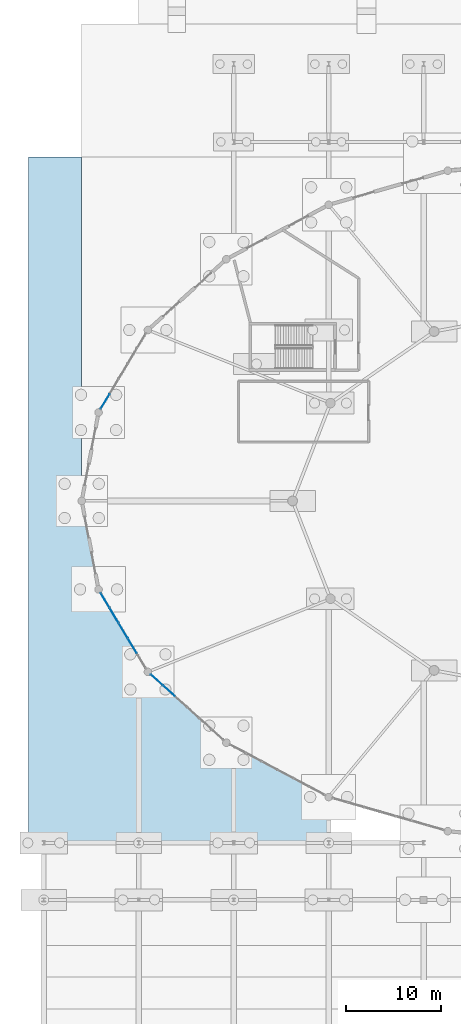
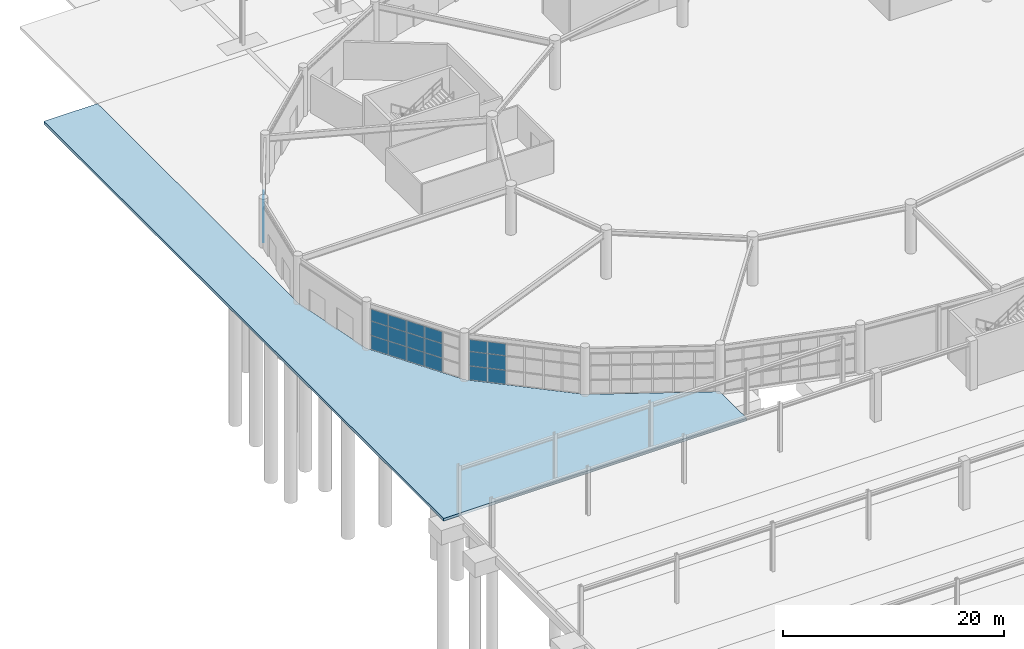
# One storey, part 67 of 99: 21 plates, 1 slab, 3 elements without a shape of their own.
"""IFC4 building model written with IfcOpenShell, lengths in metres."""

from ifc_helpers import new_model, si_unit, direction, frame, origin, origin_2d, place, context, subcontext, project, spatial, polyline, rectangle, outline, extrude, material, layer, layer_set, type_object, element, aggregate, save


model = new_model("IFC4")

# Units and contexts
model_context = context("Model", 3, precision=1e-05, world=origin(), true_north=direction((0.0, 1.0)))
body_context = subcontext(model_context, "Body", "Model", "MODEL_VIEW")
ifc_project = project(units=[si_unit("LENGTHUNIT", "METRE"), si_unit("AREAUNIT", "SQUARE_METRE"), si_unit("VOLUMEUNIT", "CUBIC_METRE"), si_unit("PLANEANGLEUNIT", "RADIAN"), si_unit("MASSUNIT", "GRAM", prefix="KILO")], contexts=[model_context])

# Site, building, storey
site_placement = place(None, origin())
site = spatial("IfcSite", under=ifc_project, at=site_placement, CompositionType="ELEMENT")
building_placement = place(site_placement, origin())
building = spatial("IfcBuilding", under=site, at=building_placement, Name="Kivolera Central Railway Station", CompositionType="ELEMENT")
storey_placement = place(building_placement, origin())
storey = spatial("IfcBuildingStorey", under=building, at=storey_placement, Name="L00", CompositionType="ELEMENT", Elevation=0.0)

# Curtain wall, plates
ifc_material_1 = material(Name="Anodised aluminium", Category="aluminium")
ifc_layer_1 = layer(ifc_material_1, 0.179931640625, Name="Anodised aluminium")
ifc_layer_set_1 = layer_set([ifc_layer_1], Name="Anodised aluminium")
curtain_wall_type_1 = type_object("IfcCurtainWallType", Name="CW-SYS-01", PredefinedType="NOTDEFINED", material=ifc_layer_set_1)
curtain_wall_1_placement = place(storey_placement, origin())
curtain_wall_1 = element("IfcCurtainWall", 1, at=curtain_wall_1_placement, inside=storey, type_object=curtain_wall_type_1, Name="L00 Curtain Wall CW-L00-OVL-10", PredefinedType="NOTDEFINED")
ifc_material_2 = material(Name="Double low-E laminated glass", Category="glass")
ifc_layer_2 = layer(ifc_material_2, 0.02587890625, Name="Double low-E laminated glass")
ifc_layer_set_2 = layer_set([ifc_layer_2], Name="Double low-E laminated glass")
plate_type_1 = type_object("IfcPlateType", Name="CWP-GLZ-1", PredefinedType="CURTAIN_PANEL", material=ifc_layer_set_2)
plate_1_placement = place(storey_placement, frame((14.464599609375, 100.474609375, 0.05810546875), z_axis=(0.0, 0.0, 1.0), x_axis=(0.513453894052, 0.858117182372, 0.0)))
plate_1 = element("IfcPlate", 2, at=plate_1_placement, type_object=plate_type_1, Name="CW-01 panel 1.1", PredefinedType="CURTAIN_PANEL", context=body_context, shape_type="SweptSolid", body=[
    extrude(rectangle(XDim=1.782958984375, YDim=0.02587890625, at=origin_2d()), origin(), (0.0, 0.0, 1.0), 1.511474609375),
])
plate_2_placement = place(storey_placement, frame((14.464599609375, 100.474609375, 1.615478515625), z_axis=(0.0, 0.0, 1.0), x_axis=(0.513453894052, 0.858117182372, 0.0)))
plate_2 = element("IfcPlate", 3, at=plate_2_placement, type_object=plate_type_1, Name="CW-01 panel 1.2", PredefinedType="CURTAIN_PANEL", context=body_context, shape_type="SweptSolid", body=[
    extrude(rectangle(XDim=1.782958984375, YDim=0.02587890625, at=origin_2d()), origin(), (0.0, 0.0, 1.0), 1.54638671875),
])
plate_3_placement = place(storey_placement, frame((14.464599609375, 100.474609375, 3.2080078125), z_axis=(0.0, 0.0, 1.0), x_axis=(0.513453894052, 0.858117182372, 0.0)))
plate_3 = element("IfcPlate", 4, at=plate_3_placement, type_object=plate_type_1, Name="CW-01 panel 1.3", PredefinedType="CURTAIN_PANEL", context=body_context, shape_type="SweptSolid", body=[
    extrude(rectangle(XDim=1.782958984375, YDim=0.02587890625, at=origin_2d()), origin(), (0.0, 0.0, 1.0), 1.283935546875),
])
aggregate(curtain_wall_1, [plate_1, plate_2, plate_3])

curtain_wall_2_placement = place(storey_placement, origin())
curtain_wall_2 = element("IfcCurtainWall", 5, at=curtain_wall_2_placement, inside=storey, type_object=curtain_wall_type_1, Name="L00 Curtain Wall CW-L00-OVL-13", PredefinedType="NOTDEFINED")
ifc_layer_3 = layer(ifc_material_2, 0.0380859375, Name="Double low-E laminated glass")
ifc_layer_set_3 = layer_set([ifc_layer_3], Name="Double low-E laminated glass")
plate_type_2 = type_object("IfcPlateType", Name="CWP-GLZ-4", PredefinedType="CURTAIN_PANEL", material=ifc_layer_set_3)
plate_4_placement = place(storey_placement, frame((17.326416015625, 74.7421875, 0.05810546875), z_axis=(0.0, 0.0, 1.0), x_axis=(-0.513453894052, 0.858117182372, 0.0)))
plate_4 = element("IfcPlate", 6, at=plate_4_placement, type_object=plate_type_2, Name="CW-01 panel 2.1", PredefinedType="CURTAIN_PANEL", context=body_context, shape_type="SweptSolid", body=[
    extrude(rectangle(XDim=1.81787109375, YDim=0.0380859375, at=origin_2d()), origin(), (0.0, 0.0, 1.0), 1.511474609375),
])
plate_5_placement = place(storey_placement, frame((17.326416015625, 74.7421875, 1.615478515625), z_axis=(0.0, 0.0, 1.0), x_axis=(-0.513453894052, 0.858117182372, 0.0)))
plate_5 = element("IfcPlate", 7, at=plate_5_placement, type_object=plate_type_2, Name="CW-01 panel 2.2", PredefinedType="CURTAIN_PANEL", context=body_context, shape_type="SweptSolid", body=[
    extrude(rectangle(XDim=1.81787109375, YDim=0.0380859375, at=origin_2d()), origin(), (0.0, 0.0, 1.0), 1.54638671875),
])
plate_6_placement = place(storey_placement, frame((17.326416015625, 74.7421875, 3.2080078125), z_axis=(0.0, 0.0, 1.0), x_axis=(-0.513453894052, 0.858117182372, 0.0)))
plate_6 = element("IfcPlate", 8, at=plate_6_placement, type_object=plate_type_2, Name="CW-01 panel 2.3", PredefinedType="CURTAIN_PANEL", context=body_context, shape_type="SweptSolid", body=[
    extrude(rectangle(XDim=1.81787109375, YDim=0.0380859375, at=origin_2d()), origin(), (0.0, 0.0, 1.0), 1.283935546875),
])
plate_7_placement = place(storey_placement, frame((16.369384765625, 76.341552734375, 0.05810546875), z_axis=(0.0, 0.0, 1.0), x_axis=(-0.513453894052, 0.858117182372, 0.0)))
plate_7 = element("IfcPlate", 9, at=plate_7_placement, type_object=plate_type_2, Name="CW-01 panel 3.1", PredefinedType="CURTAIN_PANEL", context=body_context, shape_type="SweptSolid", body=[
    extrude(rectangle(XDim=1.81787109375, YDim=0.0380859375, at=origin_2d()), origin(), (0.0, 0.0, 1.0), 1.511474609375),
])
plate_8_placement = place(storey_placement, frame((16.369384765625, 76.341552734375, 1.615478515625), z_axis=(0.0, 0.0, 1.0), x_axis=(-0.513453894052, 0.858117182372, 0.0)))
plate_8 = element("IfcPlate", 10, at=plate_8_placement, type_object=plate_type_2, Name="CW-01 panel 3.2", PredefinedType="CURTAIN_PANEL", context=body_context, shape_type="SweptSolid", body=[
    extrude(rectangle(XDim=1.81787109375, YDim=0.0380859375, at=origin_2d()), origin(), (0.0, 0.0, 1.0), 1.54638671875),
])
plate_9_placement = place(storey_placement, frame((16.369384765625, 76.341552734375, 3.2080078125), z_axis=(0.0, 0.0, 1.0), x_axis=(-0.513453894052, 0.858117182372, 0.0)))
plate_9 = element("IfcPlate", 11, at=plate_9_placement, type_object=plate_type_2, Name="CW-01 panel 3.3", PredefinedType="CURTAIN_PANEL", context=body_context, shape_type="SweptSolid", body=[
    extrude(rectangle(XDim=1.81787109375, YDim=0.0380859375, at=origin_2d()), origin(), (0.0, 0.0, 1.0), 1.283935546875),
])
plate_10_placement = place(storey_placement, frame((15.41259765625, 77.94091796875, 0.05810546875), z_axis=(0.0, 0.0, 1.0), x_axis=(-0.513453894052, 0.858117182372, 0.0)))
plate_10 = element("IfcPlate", 12, at=plate_10_placement, type_object=plate_type_2, Name="CW-01 panel 4.1", PredefinedType="CURTAIN_PANEL", context=body_context, shape_type="SweptSolid", body=[
    extrude(rectangle(XDim=1.81787109375, YDim=0.0380859375, at=origin_2d()), origin(), (0.0, 0.0, 1.0), 1.511474609375),
])
plate_11_placement = place(storey_placement, frame((15.41259765625, 77.94091796875, 1.615478515625), z_axis=(0.0, 0.0, 1.0), x_axis=(-0.513453894052, 0.858117182372, 0.0)))
plate_11 = element("IfcPlate", 13, at=plate_11_placement, type_object=plate_type_2, Name="CW-01 panel 4.2", PredefinedType="CURTAIN_PANEL", context=body_context, shape_type="SweptSolid", body=[
    extrude(rectangle(XDim=1.81787109375, YDim=0.0380859375, at=origin_2d()), origin(), (0.0, 0.0, 1.0), 1.54638671875),
])
plate_12_placement = place(storey_placement, frame((15.41259765625, 77.94091796875, 3.2080078125), z_axis=(0.0, 0.0, 1.0), x_axis=(-0.513453894052, 0.858117182372, 0.0)))
plate_12 = element("IfcPlate", 14, at=plate_12_placement, type_object=plate_type_2, Name="CW-01 panel 4.3", PredefinedType="CURTAIN_PANEL", context=body_context, shape_type="SweptSolid", body=[
    extrude(rectangle(XDim=1.81787109375, YDim=0.0380859375, at=origin_2d()), origin(), (0.0, 0.0, 1.0), 1.283935546875),
])
plate_13_placement = place(storey_placement, frame((14.464599609375, 79.525390625, 0.05810546875), z_axis=(0.0, 0.0, 1.0), x_axis=(-0.513453894052, 0.858117182372, 0.0)))
plate_13 = element("IfcPlate", 15, at=plate_13_placement, type_object=plate_type_2, Name="CW-01 panel 5.1", PredefinedType="CURTAIN_PANEL", context=body_context, shape_type="SweptSolid", body=[
    extrude(rectangle(XDim=1.782958984375, YDim=0.0380859375, at=origin_2d()), origin(), (0.0, 0.0, 1.0), 1.511474609375),
])
plate_14_placement = place(storey_placement, frame((14.464599609375, 79.525390625, 1.615478515625), z_axis=(0.0, 0.0, 1.0), x_axis=(-0.513453894052, 0.858117182372, 0.0)))
plate_14 = element("IfcPlate", 16, at=plate_14_placement, type_object=plate_type_2, Name="CW-01 panel 5.2", PredefinedType="CURTAIN_PANEL", context=body_context, shape_type="SweptSolid", body=[
    extrude(rectangle(XDim=1.782958984375, YDim=0.0380859375, at=origin_2d()), origin(), (0.0, 0.0, 1.0), 1.54638671875),
])
plate_15_placement = place(storey_placement, frame((14.464599609375, 79.525390625, 3.2080078125), z_axis=(0.0, 0.0, 1.0), x_axis=(-0.513453894052, 0.858117182372, 0.0)))
plate_15 = element("IfcPlate", 17, at=plate_15_placement, type_object=plate_type_2, Name="CW-01 panel 5.3", PredefinedType="CURTAIN_PANEL", context=body_context, shape_type="SweptSolid", body=[
    extrude(rectangle(XDim=1.782958984375, YDim=0.0380859375, at=origin_2d()), origin(), (0.0, 0.0, 1.0), 1.283935546875),
])
aggregate(curtain_wall_2, [plate_4, plate_5, plate_6, plate_7, plate_8, plate_9, plate_10, plate_11, plate_12, plate_13, plate_14, plate_15])

ifc_layer_4 = layer(ifc_material_1, 0.179931640625, Name="Anodised aluminium")
ifc_layer_set_4 = layer_set([ifc_layer_4], Name="Anodised aluminium")
curtain_wall_type_2 = type_object("IfcCurtainWallType", Name="CW-SYS-04", PredefinedType="NOTDEFINED", material=ifc_layer_set_4)
curtain_wall_3_placement = place(storey_placement, origin())
curtain_wall_3 = element("IfcCurtainWall", 18, at=curtain_wall_3_placement, inside=storey, type_object=curtain_wall_type_2, Name="L00 Curtain Wall CW-L00-OVL-14", PredefinedType="NOTDEFINED")
ifc_layer_5 = layer(ifc_material_2, 0.0419921875, Name="Double low-E laminated glass")
ifc_layer_set_5 = layer_set([ifc_layer_5], Name="Double low-E laminated glass")
plate_type_3 = type_object("IfcPlateType", Name="CWP-GLZ-5", PredefinedType="CURTAIN_PANEL", material=ifc_layer_set_5)
plate_16_placement = place(storey_placement, frame((21.18115234375, 70.001953125, 0.05810546875), z_axis=(0.0, 0.0, 1.0), x_axis=(-0.742431873669, 0.669921572246, 0.0)))
plate_16 = element("IfcPlate", 19, at=plate_16_placement, type_object=plate_type_3, Name="CW-04 panel 5.1", PredefinedType="CURTAIN_PANEL", context=body_context, shape_type="SweptSolid", body=[
    extrude(rectangle(XDim=1.675537109375, YDim=0.0419921875, at=origin_2d()), origin(), (0.0, 0.0, 1.0), 1.511474609375),
])
plate_17_placement = place(storey_placement, frame((21.18115234375, 70.001953125, 1.615478515625), z_axis=(0.0, 0.0, 1.0), x_axis=(-0.742431873669, 0.669921572246, 0.0)))
plate_17 = element("IfcPlate", 20, at=plate_17_placement, type_object=plate_type_3, Name="CW-04 panel 5.2", PredefinedType="CURTAIN_PANEL", context=body_context, shape_type="SweptSolid", body=[
    extrude(rectangle(XDim=1.675537109375, YDim=0.0419921875, at=origin_2d()), origin(), (0.0, 0.0, 1.0), 1.54638671875),
])
plate_18_placement = place(storey_placement, frame((21.18115234375, 70.001953125, 3.2080078125), z_axis=(0.0, 0.0, 1.0), x_axis=(-0.742431873669, 0.669921572246, 0.0)))
plate_18 = element("IfcPlate", 21, at=plate_18_placement, type_object=plate_type_3, Name="CW-04 panel 5.3", PredefinedType="CURTAIN_PANEL", context=body_context, shape_type="SweptSolid", body=[
    extrude(rectangle(XDim=1.675537109375, YDim=0.0419921875, at=origin_2d()), origin(), (0.0, 0.0, 1.0), 1.283935546875),
])
plate_19_placement = place(storey_placement, frame((19.916015625, 71.1435546875, 0.05810546875), z_axis=(0.0, 0.0, 1.0), x_axis=(-0.742431873669, 0.669921572246, 0.0)))
plate_19 = element("IfcPlate", 22, at=plate_19_placement, type_object=plate_type_3, Name="CW-04 panel 6.1", PredefinedType="CURTAIN_PANEL", context=body_context, shape_type="SweptSolid", body=[
    extrude(rectangle(XDim=1.640625, YDim=0.0419921875, at=origin_2d()), origin(), (0.0, 0.0, 1.0), 1.511474609375),
])
plate_20_placement = place(storey_placement, frame((19.916015625, 71.1435546875, 1.615478515625), z_axis=(0.0, 0.0, 1.0), x_axis=(-0.742431873669, 0.669921572246, 0.0)))
plate_20 = element("IfcPlate", 23, at=plate_20_placement, type_object=plate_type_3, Name="CW-04 panel 6.2", PredefinedType="CURTAIN_PANEL", context=body_context, shape_type="SweptSolid", body=[
    extrude(rectangle(XDim=1.640625, YDim=0.0419921875, at=origin_2d()), origin(), (0.0, 0.0, 1.0), 1.54638671875),
])
plate_21_placement = place(storey_placement, frame((19.916015625, 71.1435546875, 3.2080078125), z_axis=(0.0, 0.0, 1.0), x_axis=(-0.742431873669, 0.669921572246, 0.0)))
plate_21 = element("IfcPlate", 24, at=plate_21_placement, type_object=plate_type_3, Name="CW-04 panel 6.3", PredefinedType="CURTAIN_PANEL", context=body_context, shape_type="SweptSolid", body=[
    extrude(rectangle(XDim=1.640625, YDim=0.0419921875, at=origin_2d()), origin(), (0.0, 0.0, 1.0), 1.283935546875),
])
aggregate(curtain_wall_3, [plate_16, plate_17, plate_18, plate_19, plate_20, plate_21])

# Slab
ifc_material_3 = material(Name="Concrete C35/45", Category="concrete")
ifc_layer_6 = layer(ifc_material_3, 0.300048828125, Name="Concrete C35/45")
ifc_layer_set_6 = layer_set([ifc_layer_6], Name="Concrete C35/45")
slab_type = type_object("IfcSlabType", Name="SLB-EXT-300", PredefinedType="BASESLAB", material=ifc_layer_set_6)
slab_placement = place(storey_placement, frame((0.0, 0.0, -0.300048828125)))
element("IfcSlab", 25, at=slab_placement, inside=storey, type_object=slab_type, Name="Western Fire-Appliance and Pedestrian Apron Slab", PredefinedType="BASESLAB", context=body_context, shape_type="SweptSolid", body=[
    extrude(outline(polyline([(6.39990234375, 54.0), (38.0, 54.0), (38.0, 58.822998046875), (27.22998046875, 64.5439453125), (18.967041015625, 72.0), (13.77197265625, 80.68310546875), (12.0, 90.0), (12.0, 126.199951171875), (6.39990234375, 126.199951171875), (6.39990234375, 54.0)])), origin(), (0.0, 0.0, 1.0), 0.300048828125),
])

save(model, "model.ifc")
